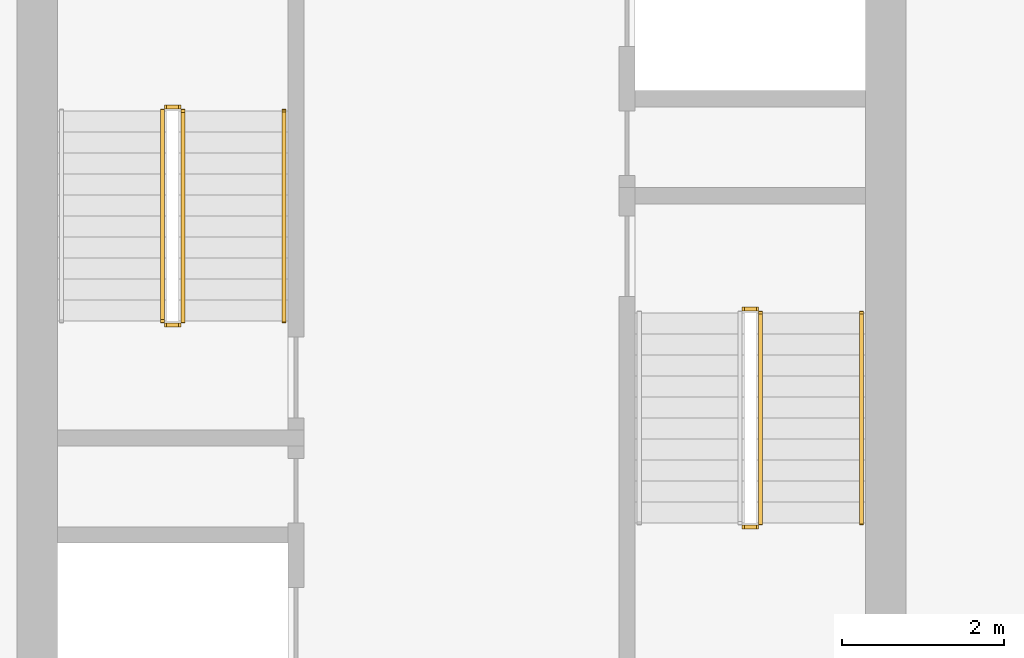
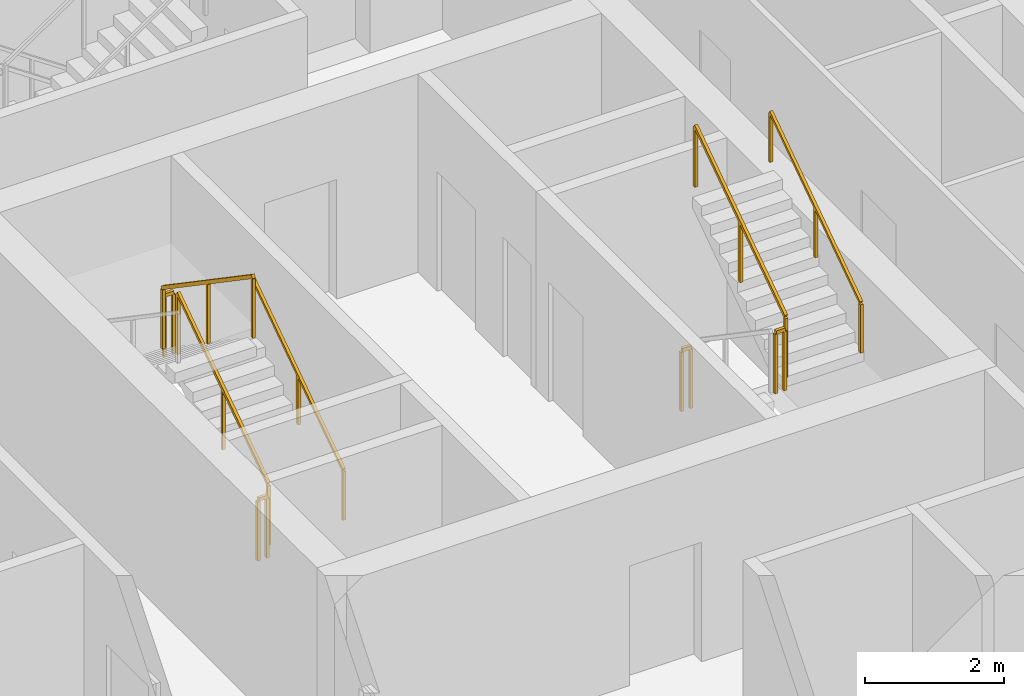
# One storey, part 12 of 15: 9 railings.
"""IFC4 building model written with IfcOpenShell, lengths in metres."""

from ifc_helpers import new_model, si_unit, direction, frame, origin, origin_2d, place, context, subcontext, project, spatial, rectangle, extrude, material, type_object, element, save


model = new_model("IFC4")

# Units and contexts
model_context = context("Model", 3, precision=1e-05, world=origin(), true_north=direction((0.0, 1.0)))
body_context = subcontext(model_context, "Body", "Model", "MODEL_VIEW")
ifc_project = project(units=[si_unit("LENGTHUNIT", "METRE"), si_unit("AREAUNIT", "SQUARE_METRE"), si_unit("VOLUMEUNIT", "CUBIC_METRE"), si_unit("PLANEANGLEUNIT", "RADIAN"), si_unit("MASSUNIT", "GRAM", prefix="KILO")], contexts=[model_context])

# Site, building, storey
site_placement = place(None, origin())
site = spatial("IfcSite", under=ifc_project, at=site_placement, CompositionType="ELEMENT")
building_placement = place(site_placement, origin())
building = spatial("IfcBuilding", under=site, at=building_placement, Name="Khepri Terraces", CompositionType="ELEMENT")
storey_placement = place(building_placement, frame((0.0, 0.0, 83.10009765625)))
storey = spatial("IfcBuildingStorey", under=building, at=storey_placement, Name="L19", CompositionType="ELEMENT", Elevation=83.10009765625)

# Railings
ifc_material = material(Name="Stainless steel 316", Category="steel")
railing_type_1 = type_object("IfcRailingType", Name="RL-CORE-GUARD", PredefinedType="GUARDRAIL", material=ifc_material)
railing_1_placement = place(storey_placement, frame((-3.449951171875, -0.050048828125, 0.17724609375)))
element("IfcRailing", 1, at=railing_1_placement, inside=storey, type_object=railing_type_1, Name="L19 ST-1 stair guard 1", PredefinedType="GUARDRAIL", context=body_context, shape_type="SweptSolid", body=[
    extrude(rectangle(XDim=0.050048828125, YDim=0.06005859375, at=origin_2d()), frame((0.0, 0.0, 1.070068359375), z_axis=(0.0, 0.826240473404, 0.563317565952), x_axis=(-1.0, 0.0, 0.0)), (0.0, 0.0, 1.0), 3.14697265625),
    extrude(rectangle(XDim=0.050048828125, YDim=0.050048828125, at=origin_2d()), origin(), (0.0, 0.0, 1.0), 1.0400390625),
    extrude(rectangle(XDim=0.050048828125, YDim=0.050048828125, at=origin_2d()), frame((0.0, 1.300048828125, 0.88623046875)), (0.0, 0.0, 1.0), 1.0400390625),
    extrude(rectangle(XDim=0.050048828125, YDim=0.050048828125, at=origin_2d()), frame((0.0, 2.60009765625, 1.772705078125)), (0.0, 0.0, 1.0), 1.0400390625),
])
railing_2_placement = place(storey_placement, frame((-3.5, 2.60009765625, 1.949951171875)))
element("IfcRailing", 2, at=railing_2_placement, inside=storey, type_object=railing_type_1, Name="L19 ST-1 stair guard 2", PredefinedType="GUARDRAIL", context=body_context, shape_type="SweptSolid", body=[
    extrude(rectangle(XDim=0.050048828125, YDim=0.06005859375, at=origin_2d()), frame((0.0, 0.0, 1.070068359375), z_axis=(-1.0, 0.0, 0.0), x_axis=(0.0, -1.0, 0.0)), (0.0, 0.0, 1.0), 0.14990234375),
    extrude(rectangle(XDim=0.050048828125, YDim=0.050048828125, at=origin_2d()), origin(), (0.0, 0.0, 1.0), 1.0400390625),
    extrude(rectangle(XDim=0.050048828125, YDim=0.050048828125, at=origin_2d()), frame((-0.14990234375, 0.0, 0.0)), (0.0, 0.0, 1.0), 1.0400390625),
])
railing_3_placement = place(storey_placement, frame((-3.699951171875, 2.550048828125, 2.127197265625)))
element("IfcRailing", 3, at=railing_3_placement, inside=storey, type_object=railing_type_1, Name="L19 ST-1 stair guard 3", PredefinedType="GUARDRAIL", context=body_context, shape_type="SweptSolid", body=[
    extrude(rectangle(XDim=0.050048828125, YDim=0.06005859375, at=origin_2d()), frame((0.0, 0.0, 1.070068359375), z_axis=(0.0, -0.826240473404, 0.563317565952), x_axis=(1.0, 0.0, 0.0)), (0.0, 0.0, 1.0), 3.14697265625),
    extrude(rectangle(XDim=0.050048828125, YDim=0.050048828125, at=origin_2d()), origin(), (0.0, 0.0, 1.0), 1.0400390625),
    extrude(rectangle(XDim=0.050048828125, YDim=0.050048828125, at=origin_2d()), frame((0.0, -1.300048828125, 0.88623046875)), (0.0, 0.0, 1.0), 1.0400390625),
    extrude(rectangle(XDim=0.050048828125, YDim=0.050048828125, at=origin_2d()), frame((0.0, -2.60009765625, 1.772705078125)), (0.0, 0.0, 1.0), 1.0400390625),
])
railing_4_placement = place(storey_placement, frame((-3.5, -0.10009765625, 0.0)))
element("IfcRailing", 4, at=railing_4_placement, inside=storey, type_object=railing_type_1, Name="L19 ST-1 stair guard 4", PredefinedType="GUARDRAIL", context=body_context, shape_type="SweptSolid", body=[
    extrude(rectangle(XDim=0.050048828125, YDim=0.06005859375, at=origin_2d()), frame((0.0, 0.0, 1.070068359375), z_axis=(-1.0, 0.0, 0.0), x_axis=(0.0, -1.0, 0.0)), (0.0, 0.0, 1.0), 0.14990234375),
    extrude(rectangle(XDim=0.050048828125, YDim=0.050048828125, at=origin_2d()), origin(), (0.0, 0.0, 1.0), 1.0400390625),
    extrude(rectangle(XDim=0.050048828125, YDim=0.050048828125, at=origin_2d()), frame((-0.14990234375, 0.0, 0.0)), (0.0, 0.0, 1.0), 1.0400390625),
])
railing_5_placement = place(storey_placement, frame((3.5, -2.60009765625, 1.949951171875)))
element("IfcRailing", 5, at=railing_5_placement, inside=storey, type_object=railing_type_1, Name="L19 ST-2 stair guard 2", PredefinedType="GUARDRAIL", context=body_context, shape_type="SweptSolid", body=[
    extrude(rectangle(XDim=0.050048828125, YDim=0.06005859375, at=origin_2d()), frame((0.0, 0.0, 1.070068359375), z_axis=(1.0, 0.0, 0.0), x_axis=(0.0, 1.0, 0.0)), (0.0, 0.0, 1.0), 0.14990234375),
    extrude(rectangle(XDim=0.050048828125, YDim=0.050048828125, at=origin_2d()), origin(), (0.0, 0.0, 1.0), 1.0400390625),
    extrude(rectangle(XDim=0.050048828125, YDim=0.050048828125, at=origin_2d()), frame((0.14990234375, 0.0, 0.0)), (0.0, 0.0, 1.0), 1.0400390625),
])
railing_6_placement = place(storey_placement, frame((3.699951171875, -2.550048828125, 2.127197265625)))
element("IfcRailing", 6, at=railing_6_placement, inside=storey, type_object=railing_type_1, Name="L19 ST-2 stair guard 3", PredefinedType="GUARDRAIL", context=body_context, shape_type="SweptSolid", body=[
    extrude(rectangle(XDim=0.050048828125, YDim=0.06005859375, at=origin_2d()), frame((0.0, 0.0, 1.070068359375), z_axis=(0.0, 0.826240473404, 0.563317565952), x_axis=(-1.0, 0.0, 0.0)), (0.0, 0.0, 1.0), 3.14697265625),
    extrude(rectangle(XDim=0.050048828125, YDim=0.050048828125, at=origin_2d()), origin(), (0.0, 0.0, 1.0), 1.0400390625),
    extrude(rectangle(XDim=0.050048828125, YDim=0.050048828125, at=origin_2d()), frame((0.0, 1.300048828125, 0.88623046875)), (0.0, 0.0, 1.0), 1.0400390625),
    extrude(rectangle(XDim=0.050048828125, YDim=0.050048828125, at=origin_2d()), frame((0.0, 2.60009765625, 1.772705078125)), (0.0, 0.0, 1.0), 1.0400390625),
])
railing_7_placement = place(storey_placement, frame((3.5, 0.10009765625, 0.0)))
element("IfcRailing", 7, at=railing_7_placement, inside=storey, type_object=railing_type_1, Name="L19 ST-2 stair guard 4", PredefinedType="GUARDRAIL", context=body_context, shape_type="SweptSolid", body=[
    extrude(rectangle(XDim=0.050048828125, YDim=0.06005859375, at=origin_2d()), frame((0.0, 0.0, 1.070068359375), z_axis=(1.0, 0.0, 0.0), x_axis=(0.0, 1.0, 0.0)), (0.0, 0.0, 1.0), 0.14990234375),
    extrude(rectangle(XDim=0.050048828125, YDim=0.050048828125, at=origin_2d()), origin(), (0.0, 0.0, 1.0), 1.0400390625),
    extrude(rectangle(XDim=0.050048828125, YDim=0.050048828125, at=origin_2d()), frame((0.14990234375, 0.0, 0.0)), (0.0, 0.0, 1.0), 1.0400390625),
])
railing_type_2 = type_object("IfcRailingType", Name="RL-CORE-HANDRAIL", PredefinedType="HANDRAIL", material=ifc_material)
for number, where, name in (
    (8, (-2.199951171875, -0.050048828125, 0.17724609375), "L19 ST-1 stair handrail 1"),
    (9, (4.949951171875, -2.550048828125, 2.127197265625), "L19 ST-2 stair handrail 2"),
):
    element("IfcRailing", number, at=place(storey_placement, frame(where)), inside=storey, type_object=railing_type_2, Name=name, PredefinedType="HANDRAIL", context=body_context, shape_type="SweptSolid", body=[
        extrude(rectangle(XDim=0.050048828125, YDim=0.050048828125, at=origin_2d()), frame((0.0, 0.0, 0.875), z_axis=(0.0, 0.826240473404, 0.563317565952), x_axis=(-1.0, 0.0, 0.0)), (0.0, 0.0, 1.0), 3.14697265625),
        extrude(rectangle(XDim=0.050048828125, YDim=0.050048828125, at=origin_2d()), origin(), (0.0, 0.0, 1.0), 0.849853515625),
        extrude(rectangle(XDim=0.050048828125, YDim=0.050048828125, at=origin_2d()), frame((0.0, 1.300048828125, 0.88623046875)), (0.0, 0.0, 1.0), 0.849853515625),
        extrude(rectangle(XDim=0.050048828125, YDim=0.050048828125, at=origin_2d()), frame((0.0, 2.60009765625, 1.772705078125)), (0.0, 0.0, 1.0), 0.849853515625),
    ])

save(model, "model.ifc")
